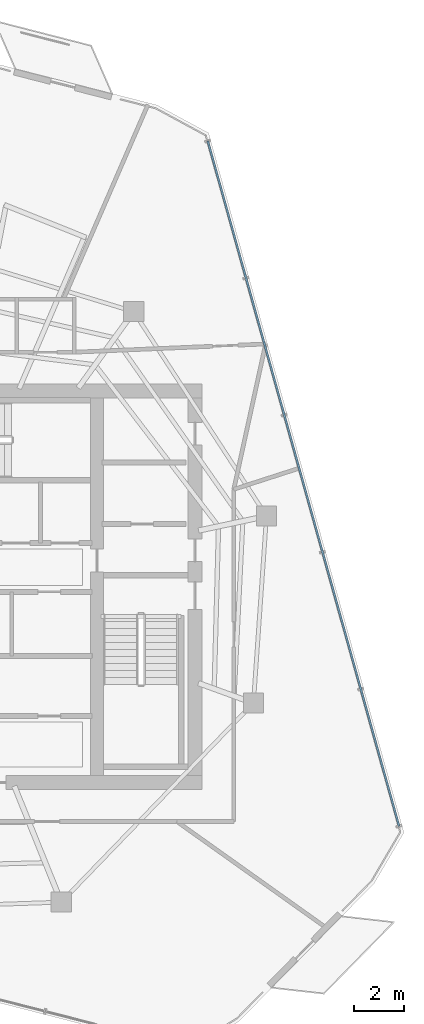
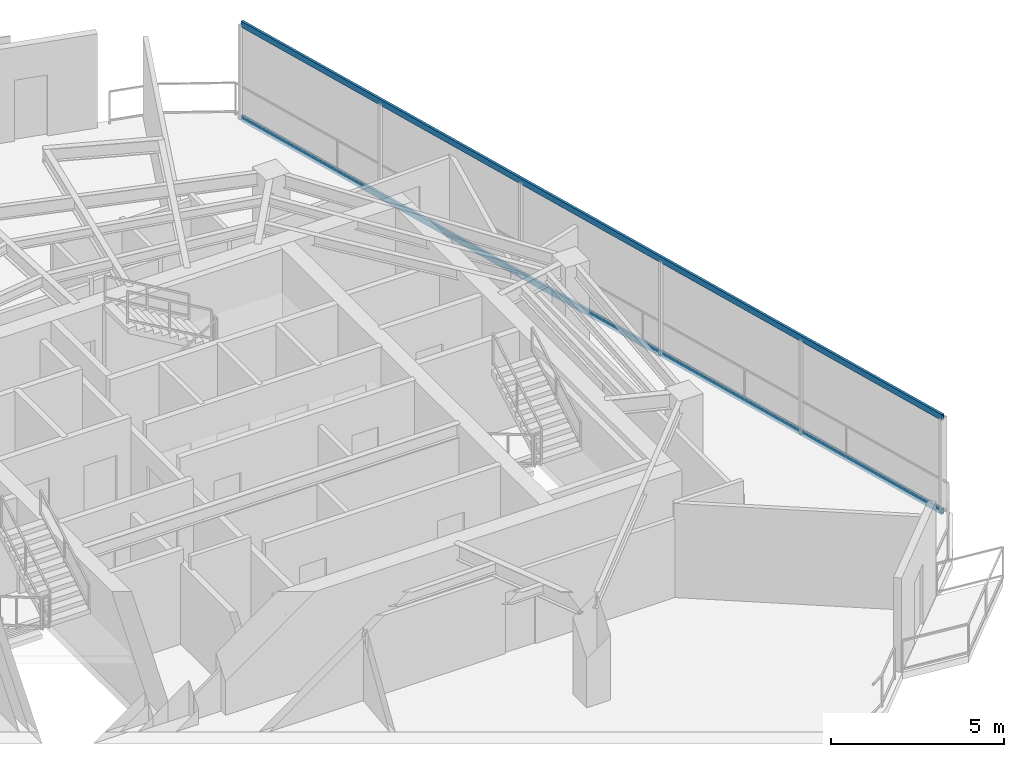
# One storey, part 11 of 18: 2 members, 1 element without a shape of its own.
"""IFC4 building model written with IfcOpenShell, lengths in metres."""

from ifc_helpers import new_model, si_unit, direction, frame, origin, origin_2d, place, context, subcontext, project, spatial, hollow_rectangle, extrude, material, layer, layer_set, material_profile, profile_set, type_object, element, aggregate, save


model = new_model("IFC4")

# Units and contexts
model_context = context("Model", 3, precision=1e-05, world=origin(), true_north=direction((0.0, 1.0)))
body_context = subcontext(model_context, "Body", "Model", "MODEL_VIEW")
ifc_project = project(units=[si_unit("LENGTHUNIT", "METRE"), si_unit("AREAUNIT", "SQUARE_METRE"), si_unit("VOLUMEUNIT", "CUBIC_METRE"), si_unit("PLANEANGLEUNIT", "RADIAN"), si_unit("MASSUNIT", "GRAM", prefix="KILO")], contexts=[model_context])

# Site, building, storey
site_placement = place(None, origin())
site = spatial("IfcSite", under=ifc_project, at=site_placement, CompositionType="ELEMENT")
building_placement = place(site_placement, origin())
building = spatial("IfcBuilding", under=site, at=building_placement, Name="Qarnah Convention Tower", CompositionType="ELEMENT")
storey_placement = place(building_placement, frame((0.0, 0.0, 239.10009765625)))
storey = spatial("IfcBuildingStorey", under=building, at=storey_placement, Name="L64", CompositionType="ELEMENT", Elevation=239.10009765625)

# Curtain wall, members
ifc_material_1 = material(Name="Tempered Low-E dark glass", Category="glass")
ifc_layer = layer(ifc_material_1, 0.176025390625)
ifc_layer_set = layer_set([ifc_layer], Name="Tempered Low-E dark glass")
curtain_wall_type = type_object("IfcCurtainWallType", Name="CWS-05", PredefinedType="NOTDEFINED", material=ifc_layer_set)
curtain_wall_placement = place(storey_placement, origin())
curtain_wall = element("IfcCurtainWall", 1, at=curtain_wall_placement, inside=storey, type_object=curtain_wall_type, Name="L64 unitised curtain wall CW-L64-F3", PredefinedType="NOTDEFINED")
ifc_material_2 = material(Name="Black anodised aluminium", Category="aluminium")
ifc_material_profile = material_profile(ifc_material_2, hollow_rectangle(XDim=0.080078125, YDim=0.2099609375, WallThickness=0.0048828125, at=origin_2d()), Name="TRN-80X210")
ifc_profile_set = profile_set([ifc_material_profile], Name="Black anodised aluminium")
member_type = type_object("IfcMemberType", Name="TRN-T5", PredefinedType="USERDEFINED", material=ifc_profile_set)
member_1_placement = place(storey_placement, frame((48.114013671875, 44.160888671875, 0.0), z_axis=(0.268932036371, -0.963159156014, 0.0), x_axis=(0.963159156014, 0.268932036371, 0.0)))
member_1 = element("IfcMember", 2, at=member_1_placement, type_object=member_type, Name="CW-L64-F3 transom 1", ObjectType="TRANSOM", PredefinedType="USERDEFINED", context=body_context, shape_type="SweptSolid", body=[
    extrude(hollow_rectangle(XDim=0.080078125, YDim=0.2099609375, WallThickness=0.0048828125, at=origin_2d()), origin(), (0.0, 0.0, 1.0), 28.342041015625),
])
member_2_placement = place(storey_placement, frame((48.114013671875, 44.160888671875, 3.31982421875), z_axis=(0.268932036371, -0.963159156014, 0.0), x_axis=(0.963159156014, 0.268932036371, 0.0)))
member_2 = element("IfcMember", 3, at=member_2_placement, type_object=member_type, Name="CW-L64-F3 transom 2", ObjectType="TRANSOM", PredefinedType="USERDEFINED", context=body_context, shape_type="SweptSolid", body=[
    extrude(hollow_rectangle(XDim=0.080078125, YDim=0.2099609375, WallThickness=0.0048828125, at=origin_2d()), origin(), (0.0, 0.0, 1.0), 28.342041015625),
])
aggregate(curtain_wall, [member_1, member_2])

save(model, "model.ifc")
